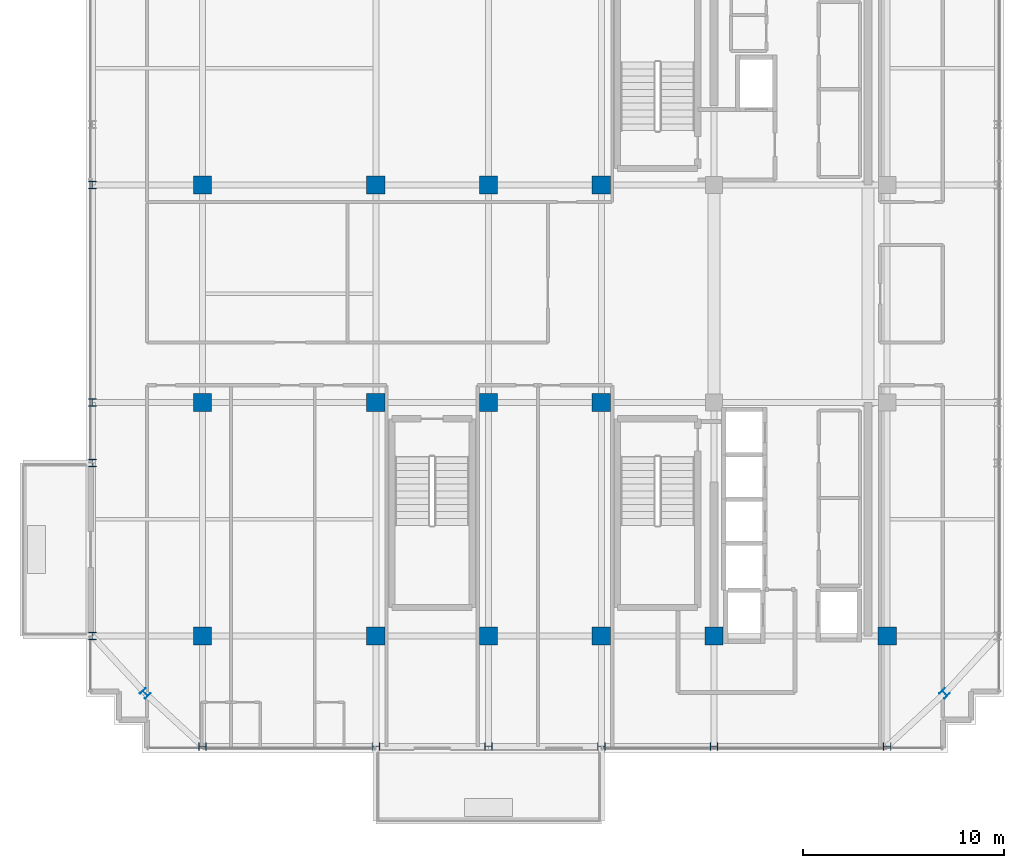
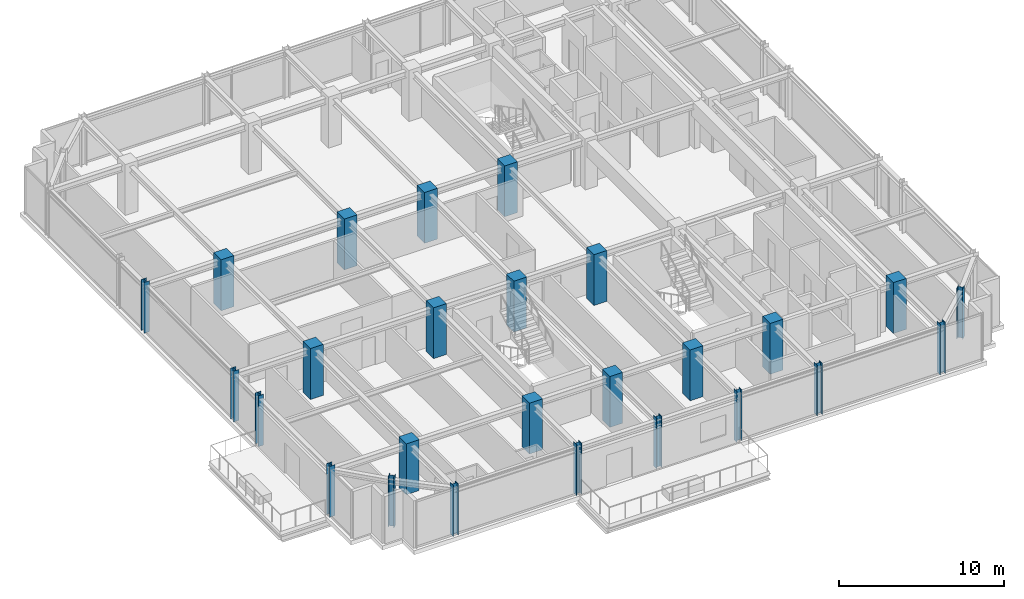
# One storey, part 1 of 31: 26 columns.
"""IFC4 building model written with IfcOpenShell, lengths in metres."""

from ifc_helpers import new_model, si_unit, direction, frame, origin, origin_2d, place, context, subcontext, project, spatial, rectangle, i_section, extrude, source, transform, mapped, material, material_profile, profile_set, type_object, element, save


model = new_model("IFC4")

# Units and contexts
model_context = context("Model", 3, precision=1e-05, world=origin(), true_north=direction((0.0, 1.0)))
body_context = subcontext(model_context, "Body", "Model", "MODEL_VIEW")
ifc_project = project(units=[si_unit("LENGTHUNIT", "METRE"), si_unit("AREAUNIT", "SQUARE_METRE"), si_unit("VOLUMEUNIT", "CUBIC_METRE"), si_unit("PLANEANGLEUNIT", "RADIAN"), si_unit("MASSUNIT", "GRAM", prefix="KILO")], contexts=[model_context])

# Site, building, storey
site_placement = place(None, origin())
site = spatial("IfcSite", under=ifc_project, at=site_placement, CompositionType="ELEMENT")
building_placement = place(site_placement, origin())
building = spatial("IfcBuilding", under=site, at=building_placement, Name="Nahalor Promenade Grand Hotel", CompositionType="ELEMENT")
storey_placement = place(building_placement, frame((0.0, 0.0, 323.35009765625)))
storey = spatial("IfcBuildingStorey", under=building, at=storey_placement, Name="L83", CompositionType="ELEMENT", Elevation=323.35009765625)

# Columns
ifc_material_1 = material(Name="Concrete B-50 (C40/50)", Category="concrete")
ifc_material_profile_1 = material_profile(ifc_material_1, rectangle(XDim=0.9, YDim=0.9, at=origin_2d()), Name="RC 900x900")
ifc_profile_set_1 = profile_set([ifc_material_profile_1], Name="Concrete B-50 (C40/50)")
column_type_1 = type_object("IfcColumnType", Name="Col-RC-900", PredefinedType="COLUMN", material=ifc_profile_set_1)
shared_shape_1 = source(origin(), body_context, "Body", "SweptSolid", [
    extrude(rectangle(XDim=0.9, YDim=0.9, at=origin_2d()), origin(), (0.0, 0.0, 1.0), 3.7548828125),
])
for number, where, z_axis, x_axis, name in (
    (1, (-17.0, -17.0, 0.0), (0.0, 0.0, 1.0), (1.0, 0.0, 0.0), "COL-L83-I00"),
    (2, (-17.0, -5.39990234375, 0.0), (0.0, 0.0, 1.0), (1.0, 0.0, 0.0), "COL-L83-I01"),
    (3, (-17.0, 5.39990234375, 0.0), (0.0, 0.0, 1.0), (1.0, 0.0, 0.0), "COL-L83-I02"),
    (4, (-8.39990234375, -17.0, 0.0), (0.0, 0.0, 1.0), (1.0, 0.0, 0.0), "COL-L83-I10"),
    (5, (-8.39990234375, -5.39990234375, 0.0), (0.0, 0.0, 1.0), (1.0, 0.0, 0.0), "COL-L83-I11"),
    (6, (-8.39990234375, 5.39990234375, 0.0), (0.0, 0.0, 1.0), (1.0, 0.0, 0.0), "COL-L83-I12"),
    (7, (-2.800048828125, -17.0, 0.0), (0.0, 0.0, 1.0), (1.0, 0.0, 0.0), "COL-L83-I20"),
    (8, (-2.800048828125, -5.39990234375, 0.0), (0.0, 0.0, 1.0), (1.0, 0.0, 0.0), "COL-L83-I21"),
    (9, (-2.800048828125, 5.39990234375, 0.0), (0.0, 0.0, 1.0), (1.0, 0.0, 0.0), "COL-L83-I22"),
    (10, (2.800048828125, -17.0, 0.0), (0.0, 0.0, 1.0), (1.0, 0.0, 0.0), "COL-L83-I30"),
    (11, (2.800048828125, -5.39990234375, 0.0), (0.0, 0.0, 1.0), (1.0, 0.0, 0.0), "COL-L83-I31"),
    (12, (2.800048828125, 5.39990234375, 0.0), (0.0, 0.0, 1.0), (1.0, 0.0, 0.0), "COL-L83-I32"),
    (13, (8.39990234375, -17.0, 0.0), (0.0, 0.0, 1.0), (1.0, 0.0, 0.0), "COL-L83-I40"),
    (14, (17.0, -17.0, 0.0), (0.0, 0.0, 1.0), (1.0, 0.0, 0.0), "COL-L83-I50"),
):
    element("IfcColumn", number, at=place(storey_placement, frame(where, z_axis=z_axis, x_axis=x_axis)), inside=storey, type_object=column_type_1, Name=name, PredefinedType="COLUMN", context=body_context, shape_type="MappedRepresentation", body=[
        mapped(shared_shape_1, transform((0.0, 0.0, 0.0), scale=1.0)),
    ])
ifc_material_2 = material(Name="Steel S355JR", Category="steel")
ifc_material_profile_2 = material_profile(ifc_material_2, i_section(OverallWidth=0.374, OverallDepth=0.374, WebThickness=0.0144, FlangeThickness=0.0229, at=origin_2d()), Name="HD 360x262")
ifc_profile_set_2 = profile_set([ifc_material_profile_2], Name="Steel S355JR")
column_type_2 = type_object("IfcColumnType", Name="Col-Steel-HD262", PredefinedType="COLUMN", material=ifc_profile_set_2)
shared_shape_2 = source(origin(), body_context, "Body", "SweptSolid", [
    extrude(i_section(OverallWidth=0.374, OverallDepth=0.374, WebThickness=0.0144, FlangeThickness=0.0229, at=origin_2d()), origin(), (0.0, 0.0, 1.0), 3.7548828125),
])
for number, where, z_axis, x_axis, name in (
    (15, (-22.47998046875, -17.0, 0.0), (0.0, 0.0, 1.0), (1.0, 0.0, 0.0), "COL-L83-PW-W0"),
    (16, (-22.47998046875, -8.39990234375, 0.0), (0.0, 0.0, 1.0), (1.0, 0.0, 0.0), "COL-L83-PW-W1"),
    (17, (-22.47998046875, -5.39990234375, 0.0), (0.0, 0.0, 1.0), (1.0, 0.0, 0.0), "COL-L83-PW-W2"),
    (18, (-22.47998046875, 5.39990234375, 0.0), (0.0, 0.0, 1.0), (1.0, 0.0, 0.0), "COL-L83-PW-W3"),
    (19, (-17.0, -22.47998046875, 0.0), (0.0, 0.0, 1.0), (0.0, 1.0, 0.0), "COL-L83-PN-S0"),
    (20, (-8.39990234375, -22.47998046875, 0.0), (0.0, 0.0, 1.0), (0.0, 1.0, 0.0), "COL-L83-PN-S1"),
    (21, (-2.800048828125, -22.47998046875, 0.0), (0.0, 0.0, 1.0), (0.0, 1.0, 0.0), "COL-L83-PN-S2"),
    (22, (2.800048828125, -22.47998046875, 0.0), (0.0, 0.0, 1.0), (0.0, 1.0, 0.0), "COL-L83-PN-S3"),
    (23, (8.39990234375, -22.47998046875, 0.0), (0.0, 0.0, 1.0), (0.0, 1.0, 0.0), "COL-L83-PN-S4"),
    (24, (17.0, -22.47998046875, 0.0), (0.0, 0.0, 1.0), (0.0, 1.0, 0.0), "COL-L83-PN-S5"),
    (25, (-19.85009765625, -19.85009765625, 0.0), (0.0, 0.0, 1.0), (0.707106781187, 0.707106781187, 0.0), "COL-L83-CRN-SW"),
    (26, (19.85009765625, -19.85009765625, 0.0), (0.0, 0.0, 1.0), (0.707106781187, 0.707106781187, 0.0), "COL-L83-CRN-SE"),
):
    element("IfcColumn", number, at=place(storey_placement, frame(where, z_axis=z_axis, x_axis=x_axis)), inside=storey, type_object=column_type_2, Name=name, PredefinedType="COLUMN", context=body_context, shape_type="MappedRepresentation", body=[
        mapped(shared_shape_2, transform((0.0, 0.0, 0.0), scale=1.0)),
    ])

save(model, "model.ifc")
